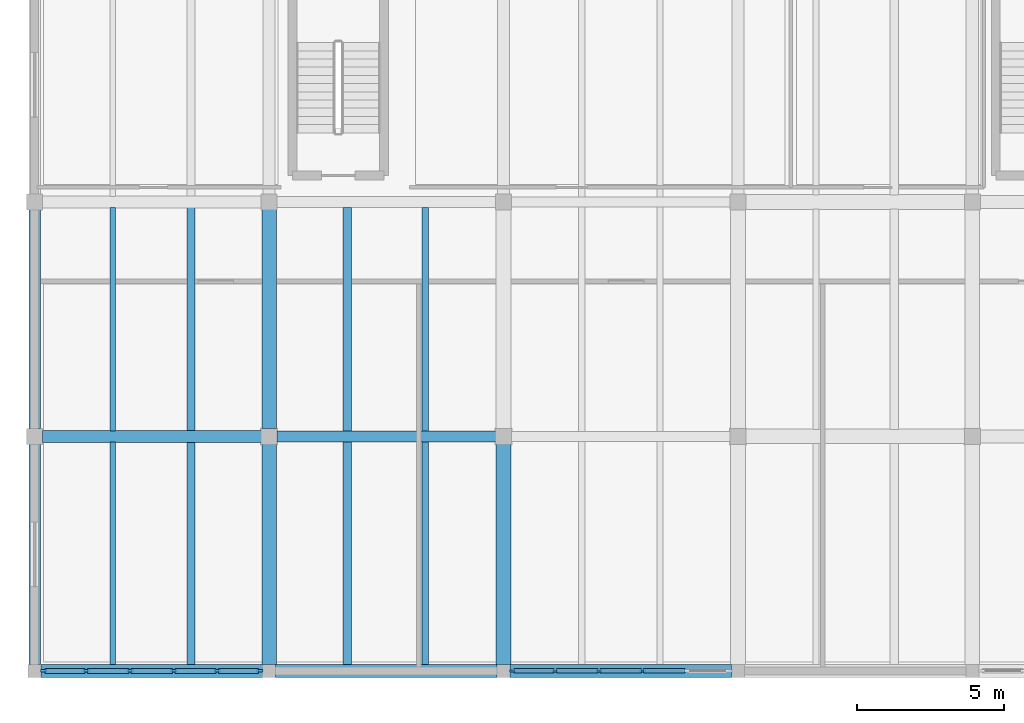
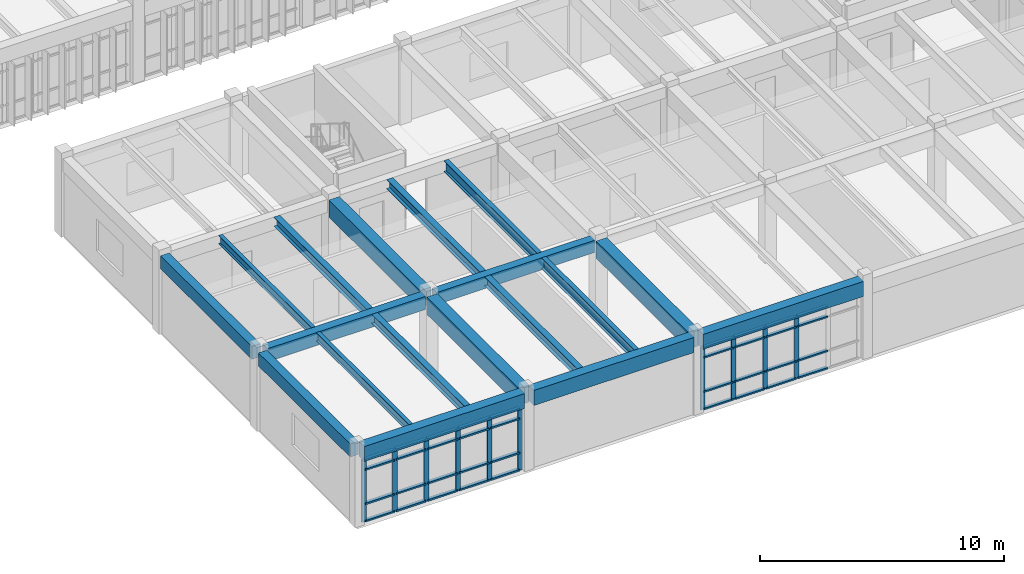
# One storey, part 3 of 67: 46 members, 18 beams, 2 elements without a shape of their own.
"""IFC4 building model written with IfcOpenShell, lengths in metres."""

import ifcopenshell
import ifcopenshell.guid

model = None  # the IFC model being written
_history = None  # IfcOwnerHistory: only IFC2X3 demands one
_inside = {}  # id of a spatial element -> (the spatial element, [elements in it])
_under = {}  # id of a project, library or spatial element -> (it, [spatial elements below it])
_declared = {}  # id of a project -> (the project, [libraries it declares])
_typed = {}  # id of a type object -> (the type object, [elements of that type])
_made_of = {}  # id of a material, layer set ... -> (it, [elements and type objects made of it])


def new_model(schema):
    """Start an empty IFC model of exactly this schema.

    Asked for "IFC4X3", IfcOpenShell would pick the latest addendum, in which some entities
    have other attributes; the version numbers below select the first issue.
    IFC2X3 requires an IfcOwnerHistory on every rooted entity: one is made here for all.
    """
    global model, _history
    if schema == "IFC4X3":
        model = ifcopenshell.file(schema_version=(4, 3, 0, 0))
    else:
        model = ifcopenshell.file(schema=schema)
    _inside.clear()
    _under.clear()
    _declared.clear()
    _typed.clear()
    _made_of.clear()
    _history = None
    if model.schema == "IFC2X3":
        org = make("IfcOrganization", Name="unknown")
        user = make(
            "IfcPersonAndOrganization",
            ThePerson=make("IfcPerson", FamilyName="unknown"),
            TheOrganization=org,
        )
        app = make(
            "IfcApplication",
            ApplicationDeveloper=org,
            Version="unknown",
            ApplicationFullName="unknown",
            ApplicationIdentifier="unknown",
        )
        _history = make(
            "IfcOwnerHistory",
            OwningUser=user,
            OwningApplication=app,
            ChangeAction="ADDED",
            CreationDate=0,
        )
    return model


def make(cls, **values):
    """One entity of the class cls with the attributes given. An attribute that is None is left unset."""
    return model.create_entity(
        cls, **{name: value for name, value in values.items() if value is not None}
    )


def rooted(cls, **values):
    """An entity with a GlobalId (a new one), such as an element, a storey or a relation."""
    return make(cls, GlobalId=ifcopenshell.guid.new(), OwnerHistory=_history, **values)


def si_unit(unit_type, name, prefix=None):
    """IfcSIUnit, for example si_unit("LENGTHUNIT", "METRE", prefix="MILLI")."""
    return make("IfcSIUnit", UnitType=unit_type, Prefix=prefix, Name=name)


def assignment(units):
    """IfcUnitAssignment: the units of a project."""
    return None if units is None else make("IfcUnitAssignment", Units=units)


def point(xyz):
    """IfcCartesianPoint."""
    return None if xyz is None else make("IfcCartesianPoint", Coordinates=xyz)


def direction(xyz):
    """IfcDirection."""
    return None if xyz is None else make("IfcDirection", DirectionRatios=xyz)


def frame(location, z_axis=None, x_axis=None):
    """IfcAxis2Placement3D, a coordinate frame: its origin and axes. An axis left out is left unset."""
    return make(
        "IfcAxis2Placement3D",
        Location=point(location),
        Axis=direction(z_axis),
        RefDirection=direction(x_axis),
    )


def frame_2d(location, x_axis=None):
    """IfcAxis2Placement2D, a coordinate frame in the plane: its origin and x axis."""
    return make(
        "IfcAxis2Placement2D", Location=point(location), RefDirection=direction(x_axis)
    )


def origin():
    """The frame at (0, 0, 0) with its axes left unset."""
    return frame((0.0, 0.0, 0.0))


def origin_2d():
    """The frame at (0, 0) in the plane with its x axis left unset."""
    return frame_2d((0.0, 0.0))


def place(relative_to, where):
    """IfcLocalPlacement: puts the frame where relative to a parent placement (None: the world)."""
    return make(
        "IfcLocalPlacement", PlacementRelTo=relative_to, RelativePlacement=where
    )


def context(
    kind, dimensions, precision=None, world=None, true_north=None, identifier=None
):
    """IfcGeometricRepresentationContext, for example the 3D "Model" context."""
    return make(
        "IfcGeometricRepresentationContext",
        ContextIdentifier=identifier,
        ContextType=kind,
        CoordinateSpaceDimension=dimensions,
        Precision=precision,
        WorldCoordinateSystem=world,
        TrueNorth=true_north,
    )


def subcontext(parent, identifier, kind, view, scale=None):
    """IfcGeometricRepresentationSubContext, for example "Body" below "Model"."""
    return make(
        "IfcGeometricRepresentationSubContext",
        ContextIdentifier=identifier,
        ContextType=kind,
        ParentContext=parent,
        TargetScale=scale,
        TargetView=view,
    )


def project(units=None, contexts=None):
    """IfcProject with its units and contexts."""
    return rooted(
        "IfcProject",
        Name="project",
        RepresentationContexts=contexts,
        UnitsInContext=assignment(units),
    )


def spatial(cls, under=None, at=None, **own):
    """A site, building, storey or space (cls), placed at a placement, below another one or the project."""
    s = rooted(cls, ObjectPlacement=at, **own)
    if under is not None:
        _under.setdefault(under.id(), (under, []))[1].append(s)
    return s


def profile(cls, at=None, kind="AREA", **sizes):
    """A parametric profile (cls). Its sizes go by their IFC names, for example OverallWidth=200.0."""
    return make(cls, ProfileType=kind, Position=at, **sizes)


def rectangle(**sizes):
    """IfcRectangleProfileDef."""
    return profile("IfcRectangleProfileDef", **sizes)


def i_section(**sizes):
    """IfcIShapeProfileDef."""
    return profile("IfcIShapeProfileDef", **sizes)


def extrude(swept, where, along, depth):
    """IfcExtrudedAreaSolid: the profile swept, set in the frame where, extruded along a direction by depth."""
    return make(
        "IfcExtrudedAreaSolid",
        SweptArea=swept,
        Position=where,
        ExtrudedDirection=direction(along),
        Depth=depth,
    )


def shape(context_of_items, identifier, shape_type, items):
    """IfcShapeRepresentation: the items that make up one representation, for example the "Body"."""
    return make(
        "IfcShapeRepresentation",
        ContextOfItems=context_of_items,
        RepresentationIdentifier=identifier,
        RepresentationType=shape_type,
        Items=items,
    )


def material(Name=None, Category=None):
    """IfcMaterial."""
    return make("IfcMaterial", Name=Name, Category=Category)


def material_profile(
    of_material, cross_section, Name=None, Category=None, Priority=None
):
    """IfcMaterialProfile: a cross section and its material."""
    return make(
        "IfcMaterialProfile",
        Name=Name,
        Material=of_material,
        Profile=cross_section,
        Priority=Priority,
        Category=Category,
    )


def profile_set(profiles, Name=None, composite=None):
    """IfcMaterialProfileSet."""
    return make(
        "IfcMaterialProfileSet",
        Name=Name,
        MaterialProfiles=profiles,
        CompositeProfile=composite,
    )


def made_of(thing, what):
    """Note that an element or type object is made of a material, layer set ...; save() writes the relation."""
    if what is not None:
        _made_of.setdefault(what.id(), (what, []))[1].append(thing)
    return thing


def type_object(cls, material=None, **own):
    """A type object (cls), such as IfcWallType, which elements share."""
    return made_of(rooted(cls, **own), material)


def element(
    cls,
    number,
    at=None,
    inside=None,
    cuts=None,
    type_object=None,
    material=None,
    context=None,
    identifier="Body",
    shape_type=None,
    held_by="IfcProductDefinitionShape",
    body=None,
    shapes=None,
    **own,
):
    """One element of the class cls, such as IfcWall. Its Tag is "e" and its number.

    at: its placement. inside: the storey or other place that contains it. cuts: it is an
    opening in that element (IfcRelVoidsElement). A single representation is given by context,
    identifier, shape_type and body (its items); several are given by shapes. held_by: the class
    of the entity that holds the representations. save() writes the other relations.
    """
    e = rooted(cls, Tag="e%d" % number, ObjectPlacement=at, **own)
    if body is not None:
        shapes = [shape(context, identifier, shape_type, body)]
    if shapes is not None:
        e.Representation = make(held_by, Representations=shapes)
    if inside is not None:
        _inside.setdefault(inside.id(), (inside, []))[1].append(e)
    if cuts is not None:
        rooted(
            "IfcRelVoidsElement", RelatingBuildingElement=cuts, RelatedOpeningElement=e
        )
    if type_object is not None:
        _typed.setdefault(type_object.id(), (type_object, []))[1].append(e)
    return made_of(e, material)


def aggregate(whole, parts):
    """IfcRelAggregates: a whole, such as a stair, and the parts it consists of."""
    return rooted("IfcRelAggregates", RelatingObject=whole, RelatedObjects=parts)


def save(model, path):
    """Write the relations noted so far, then the file.

    IfcRelAggregates (storeys below a building ...), IfcRelContainedInSpatialStructure (elements
    in a storey), IfcRelDefinesByType, IfcRelAssociatesMaterial and IfcRelDeclares: one each for
    every whole, place, type object, material and project.
    """
    for whole, parts in _under.values():
        aggregate(whole, parts)
    for where, things in _inside.values():
        rooted(
            "IfcRelContainedInSpatialStructure",
            RelatedElements=things,
            RelatingStructure=where,
        )
    for kind, things in _typed.values():
        rooted("IfcRelDefinesByType", RelatedObjects=things, RelatingType=kind)
    for what, things in _made_of.values():
        rooted("IfcRelAssociatesMaterial", RelatedObjects=things, RelatingMaterial=what)
    for by, libraries in _declared.values():
        rooted("IfcRelDeclares", RelatingContext=by, RelatedDefinitions=libraries)
    model.write(path)


model = new_model("IFC4")

# Units and contexts
model_context = context("Model", 3, precision=1e-05, world=origin(), true_north=direction((0.0, 1.0)))
body_context = subcontext(model_context, "Body", "Model", "MODEL_VIEW")
ifc_project = project(units=[si_unit("LENGTHUNIT", "METRE"), si_unit("AREAUNIT", "SQUARE_METRE"), si_unit("VOLUMEUNIT", "CUBIC_METRE"), si_unit("PLANEANGLEUNIT", "RADIAN"), si_unit("MASSUNIT", "GRAM", prefix="KILO")], contexts=[model_context])

# Site, building, storey
site_placement = place(None, origin())
site = spatial("IfcSite", under=ifc_project, at=site_placement, CompositionType="ELEMENT")
building_placement = place(site_placement, origin())
building = spatial("IfcBuilding", under=site, at=building_placement, Name="Tlaxcora Railside Police Headquarters", CompositionType="ELEMENT")
storey_placement = place(building_placement, frame((0.0, 0.0, 4.800048828125)))
storey = spatial("IfcBuildingStorey", under=building, at=storey_placement, Name="L01", CompositionType="ELEMENT", Elevation=4.800048828125)

# Curtain wall, members
ifc_material_1 = material(Name="Thermally broken low-E insulated glazing", Category="glass")
curtain_wall_type_1 = type_object("IfcCurtainWallType", Name="Unitised Curtain Wall Assembly CW-23", PredefinedType="NOTDEFINED", material=ifc_material_1)
curtain_wall_1_placement = place(storey_placement, origin())
curtain_wall_1 = element("IfcCurtainWall", 1, at=curtain_wall_1_placement, inside=storey, type_object=curtain_wall_type_1, Name="V4 L01 curtain wall 24", PredefinedType="NOTDEFINED")
ifc_material_2 = material(Name="Anodised aluminium framing", Category="aluminium")
ifc_material_profile_1 = material_profile(ifc_material_2, rectangle(XDim=0.080078125, YDim=0.219970703125, at=origin_2d()), Name="AL80X220")
ifc_profile_set_1 = profile_set([ifc_material_profile_1], Name="Anodised aluminium framing")
member_type_1 = type_object("IfcMemberType", Name="Curtain Wall Mullion CW-31", PredefinedType="MULLION", material=ifc_profile_set_1)
member_1_placement = place(storey_placement, frame((5.514892578125, 12.0, 0.0), z_axis=(0.0, 0.0, 1.0), x_axis=(0.0, 1.0, 0.0)))
member_1 = element("IfcMember", 2, at=member_1_placement, type_object=member_type_1, Name="CW mullion 1", PredefinedType="MULLION", context=body_context, shape_type="SweptSolid", body=[
    extrude(rectangle(XDim=0.080078125, YDim=0.219970703125, at=origin_2d()), origin(), (0.0, 0.0, 1.0), 3.139892578125),
])
member_2_placement = place(storey_placement, frame((6.965087890625, 12.0, 0.0), z_axis=(0.0, 0.0, 1.0), x_axis=(0.0, 1.0, 0.0)))
member_2 = element("IfcMember", 3, at=member_2_placement, type_object=member_type_1, Name="CW mullion 2", PredefinedType="MULLION", context=body_context, shape_type="SweptSolid", body=[
    extrude(rectangle(XDim=0.080078125, YDim=0.219970703125, at=origin_2d()), origin(), (0.0, 0.0, 1.0), 3.139892578125),
])
member_3_placement = place(storey_placement, frame((8.455078125, 12.0, 0.0), z_axis=(0.0, 0.0, 1.0), x_axis=(0.0, 1.0, 0.0)))
member_3 = element("IfcMember", 4, at=member_3_placement, type_object=member_type_1, Name="CW mullion 3", PredefinedType="MULLION", context=body_context, shape_type="SweptSolid", body=[
    extrude(rectangle(XDim=0.080078125, YDim=0.219970703125, at=origin_2d()), origin(), (0.0, 0.0, 1.0), 3.139892578125),
])
member_4_placement = place(storey_placement, frame((9.945068359375, 12.0, 0.0), z_axis=(0.0, 0.0, 1.0), x_axis=(0.0, 1.0, 0.0)))
member_4 = element("IfcMember", 5, at=member_4_placement, type_object=member_type_1, Name="CW mullion 4", PredefinedType="MULLION", context=body_context, shape_type="SweptSolid", body=[
    extrude(rectangle(XDim=0.080078125, YDim=0.219970703125, at=origin_2d()), origin(), (0.0, 0.0, 1.0), 3.139892578125),
])
member_5_placement = place(storey_placement, frame((11.43505859375, 12.0, 0.0), z_axis=(0.0, 0.0, 1.0), x_axis=(0.0, 1.0, 0.0)))
member_5 = element("IfcMember", 6, at=member_5_placement, type_object=member_type_1, Name="CW mullion 5", PredefinedType="MULLION", context=body_context, shape_type="SweptSolid", body=[
    extrude(rectangle(XDim=0.080078125, YDim=0.219970703125, at=origin_2d()), origin(), (0.0, 0.0, 1.0), 3.139892578125),
])
member_6_placement = place(storey_placement, frame((12.885009765625, 12.0, 0.0), z_axis=(0.0, 0.0, 1.0), x_axis=(0.0, 1.0, 0.0)))
member_6 = element("IfcMember", 7, at=member_6_placement, type_object=member_type_1, Name="CW mullion 6", PredefinedType="MULLION", context=body_context, shape_type="SweptSolid", body=[
    extrude(rectangle(XDim=0.080078125, YDim=0.219970703125, at=origin_2d()), origin(), (0.0, 0.0, 1.0), 3.139892578125),
])

curtain_wall_type_2 = type_object("IfcCurtainWallType", Name="Unitised Curtain Wall Assembly CW-38", PredefinedType="NOTDEFINED", material=ifc_material_1)
curtain_wall_2_placement = place(storey_placement, origin())
curtain_wall_2 = element("IfcCurtainWall", 8, at=curtain_wall_2_placement, inside=storey, type_object=curtain_wall_type_2, Name="V4 L01 curtain wall 25", PredefinedType="NOTDEFINED")
ifc_material_profile_2 = material_profile(ifc_material_2, rectangle(XDim=0.074951171875, YDim=0.205078125, at=origin_2d()), Name="AL75X205")
ifc_profile_set_2 = profile_set([ifc_material_profile_2], Name="Anodised aluminium framing")
member_type_2 = type_object("IfcMemberType", Name="Curtain Wall Mullion CW-32", PredefinedType="MULLION", material=ifc_profile_set_2)
member_7_placement = place(storey_placement, frame((21.512451171875, 12.0, 0.0), z_axis=(0.0, 0.0, 1.0), x_axis=(0.0, 1.0, 0.0)))
member_7 = element("IfcMember", 9, at=member_7_placement, type_object=member_type_2, Name="CW mullion 1", PredefinedType="MULLION", context=body_context, shape_type="SweptSolid", body=[
    extrude(rectangle(XDim=0.074951171875, YDim=0.205078125, at=origin_2d()), origin(), (0.0, 0.0, 1.0), 3.139892578125),
])
member_8_placement = place(storey_placement, frame((22.965087890625, 12.0, 0.0), z_axis=(0.0, 0.0, 1.0), x_axis=(0.0, 1.0, 0.0)))
member_8 = element("IfcMember", 10, at=member_8_placement, type_object=member_type_2, Name="CW mullion 2", PredefinedType="MULLION", context=body_context, shape_type="SweptSolid", body=[
    extrude(rectangle(XDim=0.074951171875, YDim=0.205078125, at=origin_2d()), origin(), (0.0, 0.0, 1.0), 3.139892578125),
])
member_9_placement = place(storey_placement, frame((24.455078125, 12.0, 0.0), z_axis=(0.0, 0.0, 1.0), x_axis=(0.0, 1.0, 0.0)))
member_9 = element("IfcMember", 11, at=member_9_placement, type_object=member_type_2, Name="CW mullion 3", PredefinedType="MULLION", context=body_context, shape_type="SweptSolid", body=[
    extrude(rectangle(XDim=0.074951171875, YDim=0.205078125, at=origin_2d()), origin(), (0.0, 0.0, 1.0), 3.139892578125),
])
member_10_placement = place(storey_placement, frame((25.945068359375, 12.0, 0.0), z_axis=(0.0, 0.0, 1.0), x_axis=(0.0, 1.0, 0.0)))
member_10 = element("IfcMember", 12, at=member_10_placement, type_object=member_type_2, Name="CW mullion 4", PredefinedType="MULLION", context=body_context, shape_type="SweptSolid", body=[
    extrude(rectangle(XDim=0.074951171875, YDim=0.205078125, at=origin_2d()), origin(), (0.0, 0.0, 1.0), 3.139892578125),
])
ifc_material_profile_3 = material_profile(ifc_material_2, rectangle(XDim=0.155029296875, YDim=0.074951171875, at=origin_2d()), Name="AL75X155")
ifc_profile_set_3 = profile_set([ifc_material_profile_3], Name="Anodised aluminium framing")
member_type_3 = type_object("IfcMemberType", Name="Curtain Wall Transom CW-30", PredefinedType="USERDEFINED", material=ifc_profile_set_3)
member_11_placement = place(storey_placement, frame((21.550048828125, 12.0, 0.037353515625), z_axis=(1.0, 0.0, 0.0), x_axis=(0.0, 1.0, 0.0)))
member_11 = element("IfcMember", 13, at=member_11_placement, type_object=member_type_3, Name="CW transom 1.1", ObjectType="TRANSOM", PredefinedType="USERDEFINED", context=body_context, shape_type="SweptSolid", body=[
    extrude(rectangle(XDim=0.155029296875, YDim=0.074951171875, at=origin_2d()), origin(), (0.0, 0.0, 1.0), 1.37744140625),
])
member_12_placement = place(storey_placement, frame((21.550048828125, 12.0, 0.89990234375), z_axis=(1.0, 0.0, 0.0), x_axis=(0.0, 1.0, 0.0)))
member_12 = element("IfcMember", 14, at=member_12_placement, type_object=member_type_3, Name="CW transom 1.2", ObjectType="TRANSOM", PredefinedType="USERDEFINED", context=body_context, shape_type="SweptSolid", body=[
    extrude(rectangle(XDim=0.155029296875, YDim=0.074951171875, at=origin_2d()), origin(), (0.0, 0.0, 1.0), 1.37744140625),
])
member_13_placement = place(storey_placement, frame((21.550048828125, 12.0, 2.60986328125), z_axis=(1.0, 0.0, 0.0), x_axis=(0.0, 1.0, 0.0)))
member_13 = element("IfcMember", 15, at=member_13_placement, type_object=member_type_3, Name="CW transom 1.3", ObjectType="TRANSOM", PredefinedType="USERDEFINED", context=body_context, shape_type="SweptSolid", body=[
    extrude(rectangle(XDim=0.155029296875, YDim=0.074951171875, at=origin_2d()), origin(), (0.0, 0.0, 1.0), 1.37744140625),
])
member_14_placement = place(storey_placement, frame((21.550048828125, 12.0, 3.1025390625), z_axis=(1.0, 0.0, 0.0), x_axis=(0.0, 1.0, 0.0)))
member_14 = element("IfcMember", 16, at=member_14_placement, type_object=member_type_3, Name="CW transom 1.4", ObjectType="TRANSOM", PredefinedType="USERDEFINED", context=body_context, shape_type="SweptSolid", body=[
    extrude(rectangle(XDim=0.155029296875, YDim=0.074951171875, at=origin_2d()), origin(), (0.0, 0.0, 1.0), 1.37744140625),
])
member_15_placement = place(storey_placement, frame((23.00244140625, 12.0, 0.037353515625), z_axis=(1.0, 0.0, 0.0), x_axis=(0.0, 1.0, 0.0)))
member_15 = element("IfcMember", 17, at=member_15_placement, type_object=member_type_3, Name="CW transom 2.1", ObjectType="TRANSOM", PredefinedType="USERDEFINED", context=body_context, shape_type="SweptSolid", body=[
    extrude(rectangle(XDim=0.155029296875, YDim=0.074951171875, at=origin_2d()), origin(), (0.0, 0.0, 1.0), 1.4150390625),
])
member_16_placement = place(storey_placement, frame((23.00244140625, 12.0, 0.89990234375), z_axis=(1.0, 0.0, 0.0), x_axis=(0.0, 1.0, 0.0)))
member_16 = element("IfcMember", 18, at=member_16_placement, type_object=member_type_3, Name="CW transom 2.2", ObjectType="TRANSOM", PredefinedType="USERDEFINED", context=body_context, shape_type="SweptSolid", body=[
    extrude(rectangle(XDim=0.155029296875, YDim=0.074951171875, at=origin_2d()), origin(), (0.0, 0.0, 1.0), 1.4150390625),
])
member_17_placement = place(storey_placement, frame((23.00244140625, 12.0, 2.60986328125), z_axis=(1.0, 0.0, 0.0), x_axis=(0.0, 1.0, 0.0)))
member_17 = element("IfcMember", 19, at=member_17_placement, type_object=member_type_3, Name="CW transom 2.3", ObjectType="TRANSOM", PredefinedType="USERDEFINED", context=body_context, shape_type="SweptSolid", body=[
    extrude(rectangle(XDim=0.155029296875, YDim=0.074951171875, at=origin_2d()), origin(), (0.0, 0.0, 1.0), 1.4150390625),
])
member_18_placement = place(storey_placement, frame((23.00244140625, 12.0, 3.1025390625), z_axis=(1.0, 0.0, 0.0), x_axis=(0.0, 1.0, 0.0)))
member_18 = element("IfcMember", 20, at=member_18_placement, type_object=member_type_3, Name="CW transom 2.4", ObjectType="TRANSOM", PredefinedType="USERDEFINED", context=body_context, shape_type="SweptSolid", body=[
    extrude(rectangle(XDim=0.155029296875, YDim=0.074951171875, at=origin_2d()), origin(), (0.0, 0.0, 1.0), 1.4150390625),
])
member_19_placement = place(storey_placement, frame((24.492431640625, 12.0, 0.037353515625), z_axis=(1.0, 0.0, 0.0), x_axis=(0.0, 1.0, 0.0)))
member_19 = element("IfcMember", 21, at=member_19_placement, type_object=member_type_3, Name="CW transom 3.1", ObjectType="TRANSOM", PredefinedType="USERDEFINED", context=body_context, shape_type="SweptSolid", body=[
    extrude(rectangle(XDim=0.155029296875, YDim=0.074951171875, at=origin_2d()), origin(), (0.0, 0.0, 1.0), 1.4150390625),
])
member_20_placement = place(storey_placement, frame((24.492431640625, 12.0, 0.89990234375), z_axis=(1.0, 0.0, 0.0), x_axis=(0.0, 1.0, 0.0)))
member_20 = element("IfcMember", 22, at=member_20_placement, type_object=member_type_3, Name="CW transom 3.2", ObjectType="TRANSOM", PredefinedType="USERDEFINED", context=body_context, shape_type="SweptSolid", body=[
    extrude(rectangle(XDim=0.155029296875, YDim=0.074951171875, at=origin_2d()), origin(), (0.0, 0.0, 1.0), 1.4150390625),
])
member_21_placement = place(storey_placement, frame((24.492431640625, 12.0, 2.60986328125), z_axis=(1.0, 0.0, 0.0), x_axis=(0.0, 1.0, 0.0)))
member_21 = element("IfcMember", 23, at=member_21_placement, type_object=member_type_3, Name="CW transom 3.3", ObjectType="TRANSOM", PredefinedType="USERDEFINED", context=body_context, shape_type="SweptSolid", body=[
    extrude(rectangle(XDim=0.155029296875, YDim=0.074951171875, at=origin_2d()), origin(), (0.0, 0.0, 1.0), 1.4150390625),
])
member_22_placement = place(storey_placement, frame((24.492431640625, 12.0, 3.1025390625), z_axis=(1.0, 0.0, 0.0), x_axis=(0.0, 1.0, 0.0)))
member_22 = element("IfcMember", 24, at=member_22_placement, type_object=member_type_3, Name="CW transom 3.4", ObjectType="TRANSOM", PredefinedType="USERDEFINED", context=body_context, shape_type="SweptSolid", body=[
    extrude(rectangle(XDim=0.155029296875, YDim=0.074951171875, at=origin_2d()), origin(), (0.0, 0.0, 1.0), 1.4150390625),
])
member_23_placement = place(storey_placement, frame((25.982421875, 12.0, 0.037353515625), z_axis=(1.0, 0.0, 0.0), x_axis=(0.0, 1.0, 0.0)))
member_23 = element("IfcMember", 25, at=member_23_placement, type_object=member_type_3, Name="CW transom 4.1", ObjectType="TRANSOM", PredefinedType="USERDEFINED", context=body_context, shape_type="SweptSolid", body=[
    extrude(rectangle(XDim=0.155029296875, YDim=0.074951171875, at=origin_2d()), origin(), (0.0, 0.0, 1.0), 1.4150390625),
])
member_24_placement = place(storey_placement, frame((25.982421875, 12.0, 0.89990234375), z_axis=(1.0, 0.0, 0.0), x_axis=(0.0, 1.0, 0.0)))
member_24 = element("IfcMember", 26, at=member_24_placement, type_object=member_type_3, Name="CW transom 4.2", ObjectType="TRANSOM", PredefinedType="USERDEFINED", context=body_context, shape_type="SweptSolid", body=[
    extrude(rectangle(XDim=0.155029296875, YDim=0.074951171875, at=origin_2d()), origin(), (0.0, 0.0, 1.0), 1.4150390625),
])
member_25_placement = place(storey_placement, frame((25.982421875, 12.0, 2.60986328125), z_axis=(1.0, 0.0, 0.0), x_axis=(0.0, 1.0, 0.0)))
member_25 = element("IfcMember", 27, at=member_25_placement, type_object=member_type_3, Name="CW transom 4.3", ObjectType="TRANSOM", PredefinedType="USERDEFINED", context=body_context, shape_type="SweptSolid", body=[
    extrude(rectangle(XDim=0.155029296875, YDim=0.074951171875, at=origin_2d()), origin(), (0.0, 0.0, 1.0), 1.4150390625),
])
member_26_placement = place(storey_placement, frame((25.982421875, 12.0, 3.1025390625), z_axis=(1.0, 0.0, 0.0), x_axis=(0.0, 1.0, 0.0)))
member_26 = element("IfcMember", 28, at=member_26_placement, type_object=member_type_3, Name="CW transom 4.4", ObjectType="TRANSOM", PredefinedType="USERDEFINED", context=body_context, shape_type="SweptSolid", body=[
    extrude(rectangle(XDim=0.155029296875, YDim=0.074951171875, at=origin_2d()), origin(), (0.0, 0.0, 1.0), 1.4150390625),
])
aggregate(curtain_wall_2, [member_7, member_8, member_9, member_10, member_11, member_12, member_13, member_14, member_15, member_16, member_17, member_18, member_19, member_20, member_21, member_22, member_23, member_24, member_25, member_26])

# Member
ifc_material_profile_4 = material_profile(ifc_material_2, rectangle(XDim=0.1650390625, YDim=0.080078125, at=origin_2d()), Name="AL80X165")
ifc_profile_set_4 = profile_set([ifc_material_profile_4], Name="Anodised aluminium framing")
member_type_4 = type_object("IfcMemberType", Name="Curtain Wall Transom CW-62", PredefinedType="USERDEFINED", material=ifc_profile_set_4)
member_27_placement = place(storey_placement, frame((5.554931640625, 12.0, 0.0400390625), z_axis=(1.0, 0.0, 0.0), x_axis=(0.0, 1.0, 0.0)))
member_27 = element("IfcMember", 29, at=member_27_placement, type_object=member_type_4, Name="CW transom 1.1", ObjectType="TRANSOM", PredefinedType="USERDEFINED", context=body_context, shape_type="SweptSolid", body=[
    extrude(rectangle(XDim=0.1650390625, YDim=0.080078125, at=origin_2d()), origin(), (0.0, 0.0, 1.0), 1.3701171875),
])

member_28_placement = place(storey_placement, frame((5.554931640625, 12.0, 0.89990234375), z_axis=(1.0, 0.0, 0.0), x_axis=(0.0, 1.0, 0.0)))
member_28 = element("IfcMember", 30, at=member_28_placement, type_object=member_type_4, Name="CW transom 1.2", ObjectType="TRANSOM", PredefinedType="USERDEFINED", context=body_context, shape_type="SweptSolid", body=[
    extrude(rectangle(XDim=0.1650390625, YDim=0.080078125, at=origin_2d()), origin(), (0.0, 0.0, 1.0), 1.3701171875),
])

member_29_placement = place(storey_placement, frame((5.554931640625, 12.0, 2.60986328125), z_axis=(1.0, 0.0, 0.0), x_axis=(0.0, 1.0, 0.0)))
member_29 = element("IfcMember", 31, at=member_29_placement, type_object=member_type_4, Name="CW transom 1.3", ObjectType="TRANSOM", PredefinedType="USERDEFINED", context=body_context, shape_type="SweptSolid", body=[
    extrude(rectangle(XDim=0.1650390625, YDim=0.080078125, at=origin_2d()), origin(), (0.0, 0.0, 1.0), 1.3701171875),
])

member_30_placement = place(storey_placement, frame((5.554931640625, 12.0, 3.099853515625), z_axis=(1.0, 0.0, 0.0), x_axis=(0.0, 1.0, 0.0)))
member_30 = element("IfcMember", 32, at=member_30_placement, type_object=member_type_4, Name="CW transom 1.4", ObjectType="TRANSOM", PredefinedType="USERDEFINED", context=body_context, shape_type="SweptSolid", body=[
    extrude(rectangle(XDim=0.1650390625, YDim=0.080078125, at=origin_2d()), origin(), (0.0, 0.0, 1.0), 1.3701171875),
])

member_31_placement = place(storey_placement, frame((7.0048828125, 12.0, 0.0400390625), z_axis=(1.0, 0.0, 0.0), x_axis=(0.0, 1.0, 0.0)))
member_31 = element("IfcMember", 33, at=member_31_placement, type_object=member_type_4, Name="CW transom 2.1", ObjectType="TRANSOM", PredefinedType="USERDEFINED", context=body_context, shape_type="SweptSolid", body=[
    extrude(rectangle(XDim=0.1650390625, YDim=0.080078125, at=origin_2d()), origin(), (0.0, 0.0, 1.0), 1.41015625),
])

member_32_placement = place(storey_placement, frame((7.0048828125, 12.0, 0.89990234375), z_axis=(1.0, 0.0, 0.0), x_axis=(0.0, 1.0, 0.0)))
member_32 = element("IfcMember", 34, at=member_32_placement, type_object=member_type_4, Name="CW transom 2.2", ObjectType="TRANSOM", PredefinedType="USERDEFINED", context=body_context, shape_type="SweptSolid", body=[
    extrude(rectangle(XDim=0.1650390625, YDim=0.080078125, at=origin_2d()), origin(), (0.0, 0.0, 1.0), 1.41015625),
])

member_33_placement = place(storey_placement, frame((7.0048828125, 12.0, 2.60986328125), z_axis=(1.0, 0.0, 0.0), x_axis=(0.0, 1.0, 0.0)))
member_33 = element("IfcMember", 35, at=member_33_placement, type_object=member_type_4, Name="CW transom 2.3", ObjectType="TRANSOM", PredefinedType="USERDEFINED", context=body_context, shape_type="SweptSolid", body=[
    extrude(rectangle(XDim=0.1650390625, YDim=0.080078125, at=origin_2d()), origin(), (0.0, 0.0, 1.0), 1.41015625),
])

member_34_placement = place(storey_placement, frame((7.0048828125, 12.0, 3.099853515625), z_axis=(1.0, 0.0, 0.0), x_axis=(0.0, 1.0, 0.0)))
member_34 = element("IfcMember", 36, at=member_34_placement, type_object=member_type_4, Name="CW transom 2.4", ObjectType="TRANSOM", PredefinedType="USERDEFINED", context=body_context, shape_type="SweptSolid", body=[
    extrude(rectangle(XDim=0.1650390625, YDim=0.080078125, at=origin_2d()), origin(), (0.0, 0.0, 1.0), 1.41015625),
])

member_35_placement = place(storey_placement, frame((8.4951171875, 12.0, 0.0400390625), z_axis=(1.0, 0.0, 0.0), x_axis=(0.0, 1.0, 0.0)))
member_35 = element("IfcMember", 37, at=member_35_placement, type_object=member_type_4, Name="CW transom 3.1", ObjectType="TRANSOM", PredefinedType="USERDEFINED", context=body_context, shape_type="SweptSolid", body=[
    extrude(rectangle(XDim=0.1650390625, YDim=0.080078125, at=origin_2d()), origin(), (0.0, 0.0, 1.0), 1.409912109375),
])

member_36_placement = place(storey_placement, frame((8.4951171875, 12.0, 0.89990234375), z_axis=(1.0, 0.0, 0.0), x_axis=(0.0, 1.0, 0.0)))
member_36 = element("IfcMember", 38, at=member_36_placement, type_object=member_type_4, Name="CW transom 3.2", ObjectType="TRANSOM", PredefinedType="USERDEFINED", context=body_context, shape_type="SweptSolid", body=[
    extrude(rectangle(XDim=0.1650390625, YDim=0.080078125, at=origin_2d()), origin(), (0.0, 0.0, 1.0), 1.409912109375),
])

member_37_placement = place(storey_placement, frame((8.4951171875, 12.0, 2.60986328125), z_axis=(1.0, 0.0, 0.0), x_axis=(0.0, 1.0, 0.0)))
member_37 = element("IfcMember", 39, at=member_37_placement, type_object=member_type_4, Name="CW transom 3.3", ObjectType="TRANSOM", PredefinedType="USERDEFINED", context=body_context, shape_type="SweptSolid", body=[
    extrude(rectangle(XDim=0.1650390625, YDim=0.080078125, at=origin_2d()), origin(), (0.0, 0.0, 1.0), 1.409912109375),
])

member_38_placement = place(storey_placement, frame((8.4951171875, 12.0, 3.099853515625), z_axis=(1.0, 0.0, 0.0), x_axis=(0.0, 1.0, 0.0)))
member_38 = element("IfcMember", 40, at=member_38_placement, type_object=member_type_4, Name="CW transom 3.4", ObjectType="TRANSOM", PredefinedType="USERDEFINED", context=body_context, shape_type="SweptSolid", body=[
    extrude(rectangle(XDim=0.1650390625, YDim=0.080078125, at=origin_2d()), origin(), (0.0, 0.0, 1.0), 1.409912109375),
])

member_39_placement = place(storey_placement, frame((9.985107421875, 12.0, 0.0400390625), z_axis=(1.0, 0.0, 0.0), x_axis=(0.0, 1.0, 0.0)))
member_39 = element("IfcMember", 41, at=member_39_placement, type_object=member_type_4, Name="CW transom 4.1", ObjectType="TRANSOM", PredefinedType="USERDEFINED", context=body_context, shape_type="SweptSolid", body=[
    extrude(rectangle(XDim=0.1650390625, YDim=0.080078125, at=origin_2d()), origin(), (0.0, 0.0, 1.0), 1.409912109375),
])

member_40_placement = place(storey_placement, frame((9.985107421875, 12.0, 0.89990234375), z_axis=(1.0, 0.0, 0.0), x_axis=(0.0, 1.0, 0.0)))
member_40 = element("IfcMember", 42, at=member_40_placement, type_object=member_type_4, Name="CW transom 4.2", ObjectType="TRANSOM", PredefinedType="USERDEFINED", context=body_context, shape_type="SweptSolid", body=[
    extrude(rectangle(XDim=0.1650390625, YDim=0.080078125, at=origin_2d()), origin(), (0.0, 0.0, 1.0), 1.409912109375),
])

member_41_placement = place(storey_placement, frame((9.985107421875, 12.0, 2.60986328125), z_axis=(1.0, 0.0, 0.0), x_axis=(0.0, 1.0, 0.0)))
member_41 = element("IfcMember", 43, at=member_41_placement, type_object=member_type_4, Name="CW transom 4.3", ObjectType="TRANSOM", PredefinedType="USERDEFINED", context=body_context, shape_type="SweptSolid", body=[
    extrude(rectangle(XDim=0.1650390625, YDim=0.080078125, at=origin_2d()), origin(), (0.0, 0.0, 1.0), 1.409912109375),
])

member_42_placement = place(storey_placement, frame((9.985107421875, 12.0, 3.099853515625), z_axis=(1.0, 0.0, 0.0), x_axis=(0.0, 1.0, 0.0)))
member_42 = element("IfcMember", 44, at=member_42_placement, type_object=member_type_4, Name="CW transom 4.4", ObjectType="TRANSOM", PredefinedType="USERDEFINED", context=body_context, shape_type="SweptSolid", body=[
    extrude(rectangle(XDim=0.1650390625, YDim=0.080078125, at=origin_2d()), origin(), (0.0, 0.0, 1.0), 1.409912109375),
])

member_43_placement = place(storey_placement, frame((11.47509765625, 12.0, 0.0400390625), z_axis=(1.0, 0.0, 0.0), x_axis=(0.0, 1.0, 0.0)))
member_43 = element("IfcMember", 45, at=member_43_placement, type_object=member_type_4, Name="CW transom 5.1", ObjectType="TRANSOM", PredefinedType="USERDEFINED", context=body_context, shape_type="SweptSolid", body=[
    extrude(rectangle(XDim=0.1650390625, YDim=0.080078125, at=origin_2d()), origin(), (0.0, 0.0, 1.0), 1.369873046875),
])

member_44_placement = place(storey_placement, frame((11.47509765625, 12.0, 0.89990234375), z_axis=(1.0, 0.0, 0.0), x_axis=(0.0, 1.0, 0.0)))
member_44 = element("IfcMember", 46, at=member_44_placement, type_object=member_type_4, Name="CW transom 5.2", ObjectType="TRANSOM", PredefinedType="USERDEFINED", context=body_context, shape_type="SweptSolid", body=[
    extrude(rectangle(XDim=0.1650390625, YDim=0.080078125, at=origin_2d()), origin(), (0.0, 0.0, 1.0), 1.369873046875),
])

member_45_placement = place(storey_placement, frame((11.47509765625, 12.0, 2.60986328125), z_axis=(1.0, 0.0, 0.0), x_axis=(0.0, 1.0, 0.0)))
member_45 = element("IfcMember", 47, at=member_45_placement, type_object=member_type_4, Name="CW transom 5.3", ObjectType="TRANSOM", PredefinedType="USERDEFINED", context=body_context, shape_type="SweptSolid", body=[
    extrude(rectangle(XDim=0.1650390625, YDim=0.080078125, at=origin_2d()), origin(), (0.0, 0.0, 1.0), 1.369873046875),
])

member_46_placement = place(storey_placement, frame((11.47509765625, 12.0, 3.099853515625), z_axis=(1.0, 0.0, 0.0), x_axis=(0.0, 1.0, 0.0)))
member_46 = element("IfcMember", 48, at=member_46_placement, type_object=member_type_4, Name="CW transom 5.4", ObjectType="TRANSOM", PredefinedType="USERDEFINED", context=body_context, shape_type="SweptSolid", body=[
    extrude(rectangle(XDim=0.1650390625, YDim=0.080078125, at=origin_2d()), origin(), (0.0, 0.0, 1.0), 1.369873046875),
])

aggregate(curtain_wall_1, [member_1, member_2, member_3, member_4, member_5, member_6, member_27, member_28, member_29, member_30, member_31, member_32, member_33, member_34, member_35, member_36, member_37, member_38, member_39, member_40, member_41, member_42, member_43, member_44, member_45, member_46])

# Beams
ifc_material_3 = material(Name="Concrete C40/50", Category="concrete")
ifc_material_profile_5 = material_profile(ifc_material_3, rectangle(XDim=0.39990234375, YDim=0.64990234375, at=origin_2d()), Name="RC400X650")
ifc_profile_set_5 = profile_set([ifc_material_profile_5], Name="Concrete C40/50")
beam_type_1 = type_object("IfcBeamType", Name="Perimeter Spandrel Beam BM-46", PredefinedType="SPANDREL", material=ifc_profile_set_5)
beam_1_placement = place(storey_placement, frame((5.199951171875, 12.215087890625, 3.5849609375), z_axis=(0.0, 1.0, 0.0), x_axis=(-1.0, 0.0, 0.0)))
element("IfcBeam", 49, at=beam_1_placement, inside=storey, type_object=beam_type_1, Name="V4 L01 Y-girder X=5.2", PredefinedType="SPANDREL", context=body_context, shape_type="SweptSolid", body=[
    extrude(rectangle(XDim=0.39990234375, YDim=0.64990234375, at=origin_2d()), origin(), (0.0, 0.0, 1.0), 7.52001953125),
])
beam_2_placement = place(storey_placement, frame((5.199951171875, 20.264892578125, 3.5849609375), z_axis=(0.0, 1.0, 0.0), x_axis=(-1.0, 0.0, 0.0)))
element("IfcBeam", 50, at=beam_2_placement, inside=storey, type_object=beam_type_1, Name="V4 L01 Y-girder X=5.2", PredefinedType="SPANDREL", context=body_context, shape_type="SweptSolid", body=[
    extrude(rectangle(XDim=0.39990234375, YDim=0.64990234375, at=origin_2d()), origin(), (0.0, 0.0, 1.0), 7.47021484375),
])
ifc_material_profile_6 = material_profile(ifc_material_3, rectangle(XDim=0.449951171875, YDim=0.75, at=origin_2d()), Name="RC450X750")
ifc_profile_set_6 = profile_set([ifc_material_profile_6], Name="Concrete C40/50")
beam_type_2 = type_object("IfcBeamType", Name="Perimeter Spandrel Beam BM-86", PredefinedType="SPANDREL", material=ifc_profile_set_6)
for number, where, z_axis, x_axis, name in (
    (51, (5.4150390625, 12.0, 3.534912109375), (1.0, 0.0, 0.0), (0.0, 1.0, 0.0), "V4 L01 X-girder Y=12.0"),
    (52, (13.4150390625, 12.0, 3.534912109375), (1.0, 0.0, 0.0), (0.0, 1.0, 0.0), "V4 L01 X-girder Y=12.0"),
    (53, (21.4150390625, 12.0, 3.534912109375), (1.0, 0.0, 0.0), (0.0, 1.0, 0.0), "V4 L01 X-girder Y=12.0"),
):
    element("IfcBeam", number, at=place(storey_placement, frame(where, z_axis=z_axis, x_axis=x_axis)), inside=storey, type_object=beam_type_2, Name=name, PredefinedType="SPANDREL", context=body_context, shape_type="SweptSolid", body=[
        extrude(rectangle(XDim=0.449951171875, YDim=0.75, at=origin_2d()), origin(), (0.0, 0.0, 1.0), 7.570068359375),
    ])
ifc_material_profile_7 = material_profile(ifc_material_3, rectangle(XDim=0.3798828125, YDim=0.60009765625, at=origin_2d()), Name="RC380X600")
ifc_profile_set_7 = profile_set([ifc_material_profile_7], Name="Concrete C40/50")
beam_type_3 = type_object("IfcBeamType", Name="Primary Frame Girder BM-22", PredefinedType="BEAM", material=ifc_profile_set_7)
beam_3_placement = place(storey_placement, frame((13.465087890625, 20.0, 3.60986328125), z_axis=(1.0, 0.0, 0.0), x_axis=(0.0, 1.0, 0.0)))
element("IfcBeam", 54, at=beam_3_placement, inside=storey, type_object=beam_type_3, Name="V4 L01 X-girder Y=20.0", PredefinedType="BEAM", context=body_context, shape_type="SweptSolid", body=[
    extrude(rectangle(XDim=0.3798828125, YDim=0.60009765625, at=origin_2d()), origin(), (0.0, 0.0, 1.0), 7.469970703125),
])
ifc_material_profile_8 = material_profile(ifc_material_3, rectangle(XDim=0.39990234375, YDim=0.64990234375, at=origin_2d()), Name="RC400X650")
ifc_profile_set_8 = profile_set([ifc_material_profile_8], Name="Concrete C40/50")
beam_type_4 = type_object("IfcBeamType", Name="Primary Frame Girder BM-41", PredefinedType="BEAM", material=ifc_profile_set_8)
beam_4_placement = place(storey_placement, frame((5.465087890625, 20.0, 3.5849609375), z_axis=(1.0, 0.0, 0.0), x_axis=(0.0, 1.0, 0.0)))
element("IfcBeam", 55, at=beam_4_placement, inside=storey, type_object=beam_type_4, Name="V4 L01 X-girder Y=20.0", PredefinedType="BEAM", context=body_context, shape_type="SweptSolid", body=[
    extrude(rectangle(XDim=0.39990234375, YDim=0.64990234375, at=origin_2d()), origin(), (0.0, 0.0, 1.0), 7.469970703125),
])
ifc_material_profile_9 = material_profile(ifc_material_3, rectangle(XDim=0.5, YDim=0.85009765625, at=origin_2d()), Name="RC500X850")
ifc_profile_set_9 = profile_set([ifc_material_profile_9], Name="Concrete C40/50")
beam_type_5 = type_object("IfcBeamType", Name="Primary Frame Girder BM-64", PredefinedType="BEAM", material=ifc_profile_set_9)
beam_5_placement = place(storey_placement, frame((13.199951171875, 12.215087890625, 3.48486328125), z_axis=(0.0, 1.0, 0.0), x_axis=(-1.0, 0.0, 0.0)))
element("IfcBeam", 56, at=beam_5_placement, inside=storey, type_object=beam_type_5, Name="V4 L01 Y-girder X=13.2", PredefinedType="BEAM", context=body_context, shape_type="SweptSolid", body=[
    extrude(rectangle(XDim=0.5, YDim=0.85009765625, at=origin_2d()), origin(), (0.0, 0.0, 1.0), 7.52001953125),
])
beam_6_placement = place(storey_placement, frame((13.199951171875, 20.264892578125, 3.48486328125), z_axis=(0.0, 1.0, 0.0), x_axis=(-1.0, 0.0, 0.0)))
element("IfcBeam", 57, at=beam_6_placement, inside=storey, type_object=beam_type_5, Name="V4 L01 Y-girder X=13.2", PredefinedType="BEAM", context=body_context, shape_type="SweptSolid", body=[
    extrude(rectangle(XDim=0.5, YDim=0.85009765625, at=origin_2d()), origin(), (0.0, 0.0, 1.0), 7.47021484375),
])
beam_7_placement = place(storey_placement, frame((21.199951171875, 12.215087890625, 3.48486328125), z_axis=(0.0, 1.0, 0.0), x_axis=(-1.0, 0.0, 0.0)))
element("IfcBeam", 58, at=beam_7_placement, inside=storey, type_object=beam_type_5, Name="V4 L01 Y-girder X=21.2", PredefinedType="BEAM", context=body_context, shape_type="SweptSolid", body=[
    extrude(rectangle(XDim=0.5, YDim=0.85009765625, at=origin_2d()), origin(), (0.0, 0.0, 1.0), 7.52001953125),
])
ifc_material_4 = material(Name="Steel ASTM A992 Grade 50", Category="steel")
ifc_material_profile_10 = material_profile(ifc_material_4, i_section(OverallWidth=0.280029296875, OverallDepth=0.4619140625, WebThickness=0.0107421875, FlangeThickness=0.017333984375, at=origin_2d()), Name="W18X76")
ifc_profile_set_10 = profile_set([ifc_material_profile_10], Name="Steel ASTM A992 Grade 50")
beam_type_6 = type_object("IfcBeamType", Name="Secondary Floor Joist BM-44", PredefinedType="JOIST", material=ifc_profile_set_10)
beam_8_placement = place(storey_placement, frame((10.533203125, 12.217041015625, 3.678955078125), z_axis=(0.0, 1.0, 0.0), x_axis=(-1.0, 0.0, 0.0)))
element("IfcBeam", 59, at=beam_8_placement, inside=storey, type_object=beam_type_6, Name="V4 L01 floor joist X=10.53", PredefinedType="JOIST", context=body_context, shape_type="SweptSolid", body=[
    extrude(i_section(OverallWidth=0.280029296875, OverallDepth=0.4619140625, WebThickness=0.0107421875, FlangeThickness=0.017333984375, at=origin_2d()), origin(), (0.0, 0.0, 1.0), 7.591064453125),
])
beam_9_placement = place(storey_placement, frame((15.86669921875, 12.217041015625, 3.678955078125), z_axis=(0.0, 1.0, 0.0), x_axis=(-1.0, 0.0, 0.0)))
element("IfcBeam", 60, at=beam_9_placement, inside=storey, type_object=beam_type_6, Name="V4 L01 floor joist X=15.87", PredefinedType="JOIST", context=body_context, shape_type="SweptSolid", body=[
    extrude(i_section(OverallWidth=0.280029296875, OverallDepth=0.4619140625, WebThickness=0.0107421875, FlangeThickness=0.017333984375, at=origin_2d()), origin(), (0.0, 0.0, 1.0), 7.60107421875),
])
beam_10_placement = place(storey_placement, frame((10.533203125, 20.19189453125, 3.678955078125), z_axis=(0.0, 1.0, 0.0), x_axis=(-1.0, 0.0, 0.0)))
element("IfcBeam", 61, at=beam_10_placement, inside=storey, type_object=beam_type_6, Name="V4 L01 floor joist X=10.53", PredefinedType="JOIST", context=body_context, shape_type="SweptSolid", body=[
    extrude(i_section(OverallWidth=0.280029296875, OverallDepth=0.4619140625, WebThickness=0.0107421875, FlangeThickness=0.017333984375, at=origin_2d()), origin(), (0.0, 0.0, 1.0), 7.6162109375),
])
beam_11_placement = place(storey_placement, frame((15.86669921875, 20.181884765625, 3.678955078125), z_axis=(0.0, 1.0, 0.0), x_axis=(-1.0, 0.0, 0.0)))
element("IfcBeam", 62, at=beam_11_placement, inside=storey, type_object=beam_type_6, Name="V4 L01 floor joist X=15.87", PredefinedType="JOIST", context=body_context, shape_type="SweptSolid", body=[
    extrude(i_section(OverallWidth=0.280029296875, OverallDepth=0.4619140625, WebThickness=0.0107421875, FlangeThickness=0.017333984375, at=origin_2d()), origin(), (0.0, 0.0, 1.0), 7.63623046875),
])
ifc_material_profile_11 = material_profile(ifc_material_4, i_section(OverallWidth=0.180908203125, OverallDepth=0.4169921875, WebThickness=0.010009765625, FlangeThickness=0.018310546875, at=origin_2d()), Name="W16X57")
ifc_profile_set_11 = profile_set([ifc_material_profile_11], Name="Steel ASTM A992 Grade 50")
beam_type_7 = type_object("IfcBeamType", Name="Secondary Floor Joist BM-84", PredefinedType="JOIST", material=ifc_profile_set_11)
beam_12_placement = place(storey_placement, frame((7.86669921875, 12.217041015625, 3.701416015625), z_axis=(0.0, 1.0, 0.0), x_axis=(-1.0, 0.0, 0.0)))
element("IfcBeam", 63, at=beam_12_placement, inside=storey, type_object=beam_type_7, Name="V4 L01 floor joist X=7.87", PredefinedType="JOIST", context=body_context, shape_type="SweptSolid", body=[
    extrude(i_section(OverallWidth=0.180908203125, OverallDepth=0.4169921875, WebThickness=0.010009765625, FlangeThickness=0.018310546875, at=origin_2d()), origin(), (0.0, 0.0, 1.0), 7.591064453125),
])
beam_13_placement = place(storey_placement, frame((7.86669921875, 20.19189453125, 3.701416015625), z_axis=(0.0, 1.0, 0.0), x_axis=(-1.0, 0.0, 0.0)))
element("IfcBeam", 64, at=beam_13_placement, inside=storey, type_object=beam_type_7, Name="V4 L01 floor joist X=7.87", PredefinedType="JOIST", context=body_context, shape_type="SweptSolid", body=[
    extrude(i_section(OverallWidth=0.180908203125, OverallDepth=0.4169921875, WebThickness=0.010009765625, FlangeThickness=0.018310546875, at=origin_2d()), origin(), (0.0, 0.0, 1.0), 7.6162109375),
])
ifc_material_profile_12 = material_profile(ifc_material_4, i_section(OverallWidth=0.214111328125, OverallDepth=0.549072265625, WebThickness=0.0146484375, FlangeThickness=0.023681640625, at=origin_2d()), Name="W21X93")
ifc_profile_set_12 = profile_set([ifc_material_profile_12], Name="Steel ASTM A992 Grade 50")
beam_type_8 = type_object("IfcBeamType", Name="Secondary Floor Joist BM-97", PredefinedType="JOIST", material=ifc_profile_set_12)
beam_14_placement = place(storey_placement, frame((18.533203125, 12.217041015625, 3.635498046875), z_axis=(0.0, 1.0, 0.0), x_axis=(-1.0, 0.0, 0.0)))
element("IfcBeam", 65, at=beam_14_placement, inside=storey, type_object=beam_type_8, Name="V4 L01 floor joist X=18.53", PredefinedType="JOIST", context=body_context, shape_type="SweptSolid", body=[
    extrude(i_section(OverallWidth=0.214111328125, OverallDepth=0.549072265625, WebThickness=0.0146484375, FlangeThickness=0.023681640625, at=origin_2d()), origin(), (0.0, 0.0, 1.0), 7.60107421875),
])
beam_15_placement = place(storey_placement, frame((18.533203125, 20.181884765625, 3.635498046875), z_axis=(0.0, 1.0, 0.0), x_axis=(-1.0, 0.0, 0.0)))
element("IfcBeam", 66, at=beam_15_placement, inside=storey, type_object=beam_type_8, Name="V4 L01 floor joist X=18.53", PredefinedType="JOIST", context=body_context, shape_type="SweptSolid", body=[
    extrude(i_section(OverallWidth=0.214111328125, OverallDepth=0.549072265625, WebThickness=0.0146484375, FlangeThickness=0.023681640625, at=origin_2d()), origin(), (0.0, 0.0, 1.0), 7.63623046875),
])

save(model, "model.ifc")
